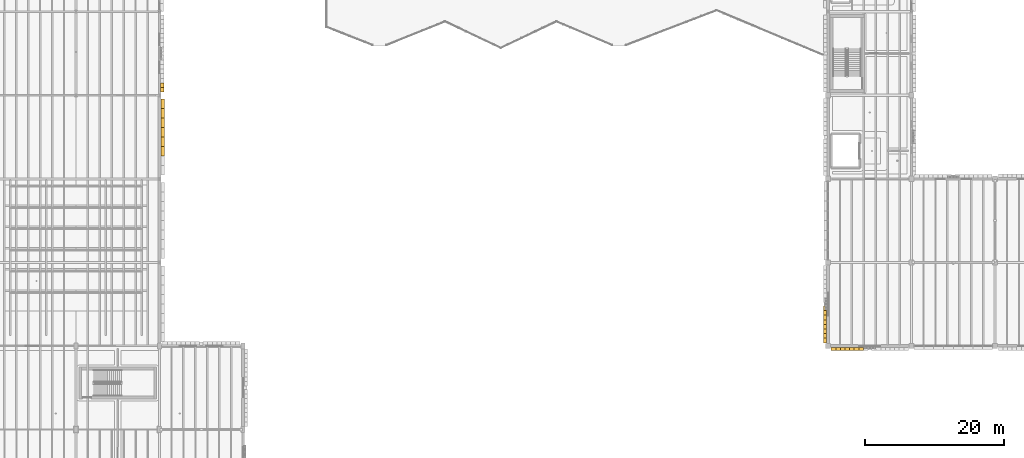
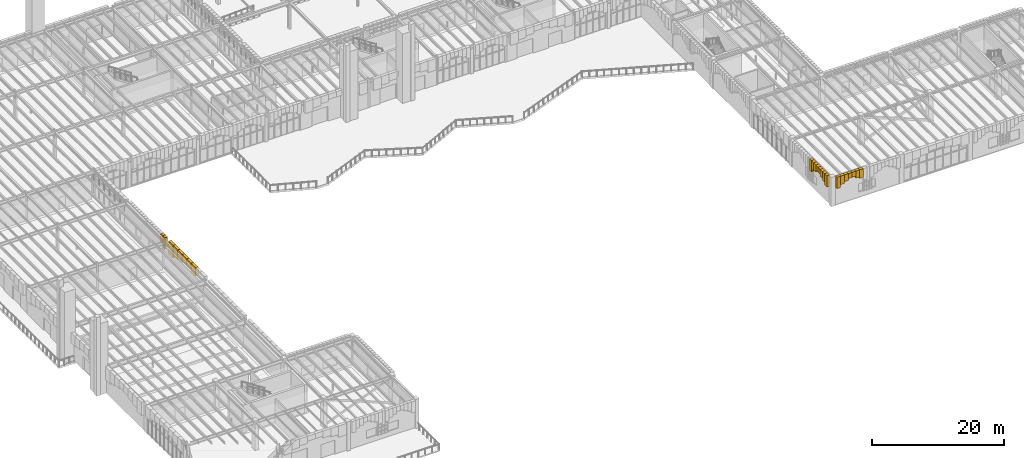
# One storey, part 74 of 103: 23 coverings.
"""IFC4 building model written with IfcOpenShell, lengths in metres."""

from ifc_helpers import new_model, si_unit, direction, frame, origin, place, context, subcontext, project, spatial, polyline, outline, extrude, material, layer, layer_set, type_object, element, save


model = new_model("IFC4")

# Units and contexts
model_context = context("Model", 3, precision=1e-05, world=origin(), true_north=direction((0.0, 1.0)))
body_context = subcontext(model_context, "Body", "Model", "MODEL_VIEW")
ifc_project = project(units=[si_unit("LENGTHUNIT", "METRE"), si_unit("AREAUNIT", "SQUARE_METRE"), si_unit("VOLUMEUNIT", "CUBIC_METRE"), si_unit("PLANEANGLEUNIT", "RADIAN"), si_unit("MASSUNIT", "GRAM", prefix="KILO")], contexts=[model_context])

# Site, building, storey
site_placement = place(None, origin())
site = spatial("IfcSite", under=ifc_project, at=site_placement, CompositionType="ELEMENT")
building_placement = place(site_placement, origin())
building = spatial("IfcBuilding", under=site, at=building_placement, Name="Zlatogorsky Bluff Art Gallery", CompositionType="ELEMENT")
storey_placement = place(building_placement, origin())
storey = spatial("IfcBuildingStorey", under=building, at=storey_placement, Name="L00", CompositionType="ELEMENT", Elevation=0.0)

# Coverings
ifc_material = material(Name="Honed Red Agra-Tone Quartzitic Sandstone", Category="masonry")
ifc_layer = layer(ifc_material, 0.1201171875)
ifc_layer_set = layer_set([ifc_layer], Name="Carved Sandstone Cladding CLD-02")
covering_type = type_object("IfcCoveringType", Name="Carved Sandstone Cladding CLD-02", PredefinedType="CLADDING", material=ifc_layer_set)
covering_1_placement = place(storey_placement, frame((0.0, 0.0, 3.82666015625)))
element("IfcCovering", 1, at=covering_1_placement, inside=storey, type_object=covering_type, Name="Pointed Mughal arch voussoir spandrel WARCH-L00-E-01-05-A.3", PredefinedType="CLADDING", context=body_context, shape_type="SweptSolid", body=[
    extrude(outline(polyline([(24.2099609375, 53.675048828125), (24.2099609375, 55.03759765625), (24.699951171875, 55.03759765625), (24.699951171875, 53.675048828125), (24.2099609375, 53.675048828125)])), origin(), (0.0, 0.0, 1.0), 1.533447265625),
])
covering_2_placement = place(storey_placement, frame((0.0, 0.0, 4.1953125)))
element("IfcCovering", 2, at=covering_2_placement, inside=storey, type_object=covering_type, Name="Pointed Mughal arch voussoir spandrel WARCH-L00-E-01-05-A.4", PredefinedType="CLADDING", context=body_context, shape_type="SweptSolid", body=[
    extrude(outline(polyline([(24.2099609375, 55.03759765625), (24.2099609375, 56.39990234375), (24.699951171875, 56.39990234375), (24.699951171875, 55.03759765625), (24.2099609375, 55.03759765625)])), origin(), (0.0, 0.0, 1.0), 1.164794921875),
])
covering_3_placement = place(storey_placement, frame((0.0, 0.0, 4.1953125)))
element("IfcCovering", 3, at=covering_3_placement, inside=storey, type_object=covering_type, Name="Pointed Mughal arch voussoir spandrel WARCH-L00-E-01-05-A.5", PredefinedType="CLADDING", context=body_context, shape_type="SweptSolid", body=[
    extrude(outline(polyline([(24.2099609375, 56.39990234375), (24.2099609375, 57.762451171875), (24.699951171875, 57.762451171875), (24.699951171875, 56.39990234375), (24.2099609375, 56.39990234375)])), origin(), (0.0, 0.0, 1.0), 1.164794921875),
])
covering_4_placement = place(storey_placement, frame((0.0, 0.0, 3.82666015625)))
element("IfcCovering", 4, at=covering_4_placement, inside=storey, type_object=covering_type, Name="Pointed Mughal arch voussoir spandrel WARCH-L00-E-01-05-A.6", PredefinedType="CLADDING", context=body_context, shape_type="SweptSolid", body=[
    extrude(outline(polyline([(24.2099609375, 57.762451171875), (24.2099609375, 59.125), (24.699951171875, 59.125), (24.699951171875, 57.762451171875), (24.2099609375, 57.762451171875)])), origin(), (0.0, 0.0, 1.0), 1.533447265625),
])
covering_5_placement = place(storey_placement, frame((0.0, 0.0, 3.53369140625)))
element("IfcCovering", 5, at=covering_5_placement, inside=storey, type_object=covering_type, Name="Pointed Mughal arch voussoir spandrel WARCH-L00-E-01-05-A.7", PredefinedType="CLADDING", context=body_context, shape_type="SweptSolid", body=[
    extrude(outline(polyline([(24.2099609375, 59.125), (24.2099609375, 60.487548828125), (24.699951171875, 60.487548828125), (24.699951171875, 59.125), (24.2099609375, 59.125)])), origin(), (0.0, 0.0, 1.0), 1.826416015625),
])
covering_6_placement = place(storey_placement, frame((0.0, 0.0, 3.00244140625)))
element("IfcCovering", 6, at=covering_6_placement, inside=storey, type_object=covering_type, Name="Pointed Mughal arch voussoir spandrel WARCH-L00-E-01-05-A.8", PredefinedType="CLADDING", context=body_context, shape_type="SweptSolid", body=[
    extrude(outline(polyline([(24.2099609375, 60.487548828125), (24.2099609375, 61.85009765625), (24.699951171875, 61.85009765625), (24.699951171875, 60.487548828125), (24.2099609375, 60.487548828125)])), origin(), (0.0, 0.0, 1.0), 2.357666015625),
])
covering_7_placement = place(storey_placement, frame((0.0, 0.0, 3.25244140625)))
element("IfcCovering", 7, at=covering_7_placement, inside=storey, type_object=covering_type, Name="Pointed Mughal arch voussoir spandrel WARCH-L00-E-01-06-A.1", PredefinedType="CLADDING", context=body_context, shape_type="SweptSolid", body=[
    extrude(outline(polyline([(24.14990234375, 62.85009765625), (24.14990234375, 63.512451171875), (24.639892578125, 63.512451171875), (24.639892578125, 62.85009765625), (24.14990234375, 62.85009765625)])), origin(), (0.0, 0.0, 1.0), 2.107666015625),
])
covering_8_placement = place(storey_placement, frame((0.0, 0.0, 3.78369140625)))
element("IfcCovering", 8, at=covering_8_placement, inside=storey, type_object=covering_type, Name="Pointed Mughal arch voussoir spandrel WARCH-L00-E-01-06-A.2", PredefinedType="CLADDING", context=body_context, shape_type="SweptSolid", body=[
    extrude(outline(polyline([(24.14990234375, 63.512451171875), (24.14990234375, 64.175048828125), (24.639892578125, 64.175048828125), (24.639892578125, 63.512451171875), (24.14990234375, 63.512451171875)])), origin(), (0.0, 0.0, 1.0), 1.576416015625),
])
covering_9_placement = place(storey_placement, frame((0.0, 0.0, 3.25244140625)))
element("IfcCovering", 9, at=covering_9_placement, inside=storey, type_object=covering_type, Name="Pointed Mughal arch voussoir spandrel WARCH-L00-S-10-03-A.1", PredefinedType="CLADDING", context=body_context, shape_type="SweptSolid", body=[
    extrude(outline(polyline([(120.449951171875, 25.719970703125), (121.112548828125, 25.719970703125), (121.112548828125, 26.2099609375), (120.449951171875, 26.2099609375), (120.449951171875, 25.719970703125)])), origin(), (0.0, 0.0, 1.0), 2.107666015625),
])
covering_10_placement = place(storey_placement, frame((0.0, 0.0, 3.78369140625)))
element("IfcCovering", 10, at=covering_10_placement, inside=storey, type_object=covering_type, Name="Pointed Mughal arch voussoir spandrel WARCH-L00-S-10-03-A.2", PredefinedType="CLADDING", context=body_context, shape_type="SweptSolid", body=[
    extrude(outline(polyline([(121.112548828125, 25.719970703125), (121.77490234375, 25.719970703125), (121.77490234375, 26.2099609375), (121.112548828125, 26.2099609375), (121.112548828125, 25.719970703125)])), origin(), (0.0, 0.0, 1.0), 1.576416015625),
])
covering_11_placement = place(storey_placement, frame((0.0, 0.0, 4.07666015625)))
element("IfcCovering", 11, at=covering_11_placement, inside=storey, type_object=covering_type, Name="Pointed Mughal arch voussoir spandrel WARCH-L00-S-10-03-A.3", PredefinedType="CLADDING", context=body_context, shape_type="SweptSolid", body=[
    extrude(outline(polyline([(121.77490234375, 25.719970703125), (122.4375, 25.719970703125), (122.4375, 26.2099609375), (121.77490234375, 26.2099609375), (121.77490234375, 25.719970703125)])), origin(), (0.0, 0.0, 1.0), 1.283447265625),
])
covering_12_placement = place(storey_placement, frame((0.0, 0.0, 4.4453125)))
element("IfcCovering", 12, at=covering_12_placement, inside=storey, type_object=covering_type, Name="Pointed Mughal arch voussoir spandrel WARCH-L00-S-10-03-A.4", PredefinedType="CLADDING", context=body_context, shape_type="SweptSolid", body=[
    extrude(outline(polyline([(122.4375, 25.719970703125), (123.10009765625, 25.719970703125), (123.10009765625, 26.2099609375), (122.4375, 26.2099609375), (122.4375, 25.719970703125)])), origin(), (0.0, 0.0, 1.0), 0.914794921875),
])
covering_13_placement = place(storey_placement, frame((0.0, 0.0, 4.4453125)))
element("IfcCovering", 13, at=covering_13_placement, inside=storey, type_object=covering_type, Name="Pointed Mughal arch voussoir spandrel WARCH-L00-S-10-03-A.5", PredefinedType="CLADDING", context=body_context, shape_type="SweptSolid", body=[
    extrude(outline(polyline([(123.10009765625, 25.719970703125), (123.762451171875, 25.719970703125), (123.762451171875, 26.2099609375), (123.10009765625, 26.2099609375), (123.10009765625, 25.719970703125)])), origin(), (0.0, 0.0, 1.0), 0.914794921875),
])
covering_14_placement = place(storey_placement, frame((0.0, 0.0, 4.07666015625)))
element("IfcCovering", 14, at=covering_14_placement, inside=storey, type_object=covering_type, Name="Pointed Mughal arch voussoir spandrel WARCH-L00-S-10-03-A.6", PredefinedType="CLADDING", context=body_context, shape_type="SweptSolid", body=[
    extrude(outline(polyline([(123.762451171875, 25.719970703125), (124.425048828125, 25.719970703125), (124.425048828125, 26.2099609375), (123.762451171875, 26.2099609375), (123.762451171875, 25.719970703125)])), origin(), (0.0, 0.0, 1.0), 1.283447265625),
])
covering_15_placement = place(storey_placement, frame((0.0, 0.0, 3.78369140625)))
element("IfcCovering", 15, at=covering_15_placement, inside=storey, type_object=covering_type, Name="Pointed Mughal arch voussoir spandrel WARCH-L00-S-10-03-A.7", PredefinedType="CLADDING", context=body_context, shape_type="SweptSolid", body=[
    extrude(outline(polyline([(124.425048828125, 25.719970703125), (125.08740234375, 25.719970703125), (125.08740234375, 26.2099609375), (124.425048828125, 26.2099609375), (124.425048828125, 25.719970703125)])), origin(), (0.0, 0.0, 1.0), 1.576416015625),
])
covering_16_placement = place(storey_placement, frame((0.0, 0.0, 3.25244140625)))
element("IfcCovering", 16, at=covering_16_placement, inside=storey, type_object=covering_type, Name="Pointed Mughal arch voussoir spandrel WARCH-L00-W-10-03-A.1", PredefinedType="CLADDING", context=body_context, shape_type="SweptSolid", body=[
    extrude(outline(polyline([(119.320068359375, 26.85009765625), (119.320068359375, 27.512451171875), (119.81005859375, 27.512451171875), (119.81005859375, 26.85009765625), (119.320068359375, 26.85009765625)])), origin(), (0.0, 0.0, 1.0), 2.107666015625),
])
covering_17_placement = place(storey_placement, frame((0.0, 0.0, 3.78369140625)))
element("IfcCovering", 17, at=covering_17_placement, inside=storey, type_object=covering_type, Name="Pointed Mughal arch voussoir spandrel WARCH-L00-W-10-03-A.2", PredefinedType="CLADDING", context=body_context, shape_type="SweptSolid", body=[
    extrude(outline(polyline([(119.320068359375, 27.512451171875), (119.320068359375, 28.175048828125), (119.81005859375, 28.175048828125), (119.81005859375, 27.512451171875), (119.320068359375, 27.512451171875)])), origin(), (0.0, 0.0, 1.0), 1.576416015625),
])
covering_18_placement = place(storey_placement, frame((0.0, 0.0, 4.07666015625)))
element("IfcCovering", 18, at=covering_18_placement, inside=storey, type_object=covering_type, Name="Pointed Mughal arch voussoir spandrel WARCH-L00-W-10-03-A.3", PredefinedType="CLADDING", context=body_context, shape_type="SweptSolid", body=[
    extrude(outline(polyline([(119.320068359375, 28.175048828125), (119.320068359375, 28.83740234375), (119.81005859375, 28.83740234375), (119.81005859375, 28.175048828125), (119.320068359375, 28.175048828125)])), origin(), (0.0, 0.0, 1.0), 1.283447265625),
])
covering_19_placement = place(storey_placement, frame((0.0, 0.0, 4.4453125)))
element("IfcCovering", 19, at=covering_19_placement, inside=storey, type_object=covering_type, Name="Pointed Mughal arch voussoir spandrel WARCH-L00-W-10-03-A.4", PredefinedType="CLADDING", context=body_context, shape_type="SweptSolid", body=[
    extrude(outline(polyline([(119.320068359375, 28.83740234375), (119.320068359375, 29.5), (119.81005859375, 29.5), (119.81005859375, 28.83740234375), (119.320068359375, 28.83740234375)])), origin(), (0.0, 0.0, 1.0), 0.914794921875),
])
covering_20_placement = place(storey_placement, frame((0.0, 0.0, 4.4453125)))
element("IfcCovering", 20, at=covering_20_placement, inside=storey, type_object=covering_type, Name="Pointed Mughal arch voussoir spandrel WARCH-L00-W-10-03-A.5", PredefinedType="CLADDING", context=body_context, shape_type="SweptSolid", body=[
    extrude(outline(polyline([(119.320068359375, 29.5), (119.320068359375, 30.16259765625), (119.81005859375, 30.16259765625), (119.81005859375, 29.5), (119.320068359375, 29.5)])), origin(), (0.0, 0.0, 1.0), 0.914794921875),
])
covering_21_placement = place(storey_placement, frame((0.0, 0.0, 4.07666015625)))
element("IfcCovering", 21, at=covering_21_placement, inside=storey, type_object=covering_type, Name="Pointed Mughal arch voussoir spandrel WARCH-L00-W-10-03-A.6", PredefinedType="CLADDING", context=body_context, shape_type="SweptSolid", body=[
    extrude(outline(polyline([(119.320068359375, 30.16259765625), (119.320068359375, 30.824951171875), (119.81005859375, 30.824951171875), (119.81005859375, 30.16259765625), (119.320068359375, 30.16259765625)])), origin(), (0.0, 0.0, 1.0), 1.283447265625),
])
covering_22_placement = place(storey_placement, frame((0.0, 0.0, 3.78369140625)))
element("IfcCovering", 22, at=covering_22_placement, inside=storey, type_object=covering_type, Name="Pointed Mughal arch voussoir spandrel WARCH-L00-W-10-03-A.7", PredefinedType="CLADDING", context=body_context, shape_type="SweptSolid", body=[
    extrude(outline(polyline([(119.320068359375, 30.824951171875), (119.320068359375, 31.487548828125), (119.81005859375, 31.487548828125), (119.81005859375, 30.824951171875), (119.320068359375, 30.824951171875)])), origin(), (0.0, 0.0, 1.0), 1.576416015625),
])
covering_23_placement = place(storey_placement, frame((0.0, 0.0, 3.25244140625)))
element("IfcCovering", 23, at=covering_23_placement, inside=storey, type_object=covering_type, Name="Pointed Mughal arch voussoir spandrel WARCH-L00-W-10-03-A.8", PredefinedType="CLADDING", context=body_context, shape_type="SweptSolid", body=[
    extrude(outline(polyline([(119.320068359375, 31.487548828125), (119.320068359375, 32.14990234375), (119.81005859375, 32.14990234375), (119.81005859375, 31.487548828125), (119.320068359375, 31.487548828125)])), origin(), (0.0, 0.0, 1.0), 2.107666015625),
])

save(model, "model.ifc")
